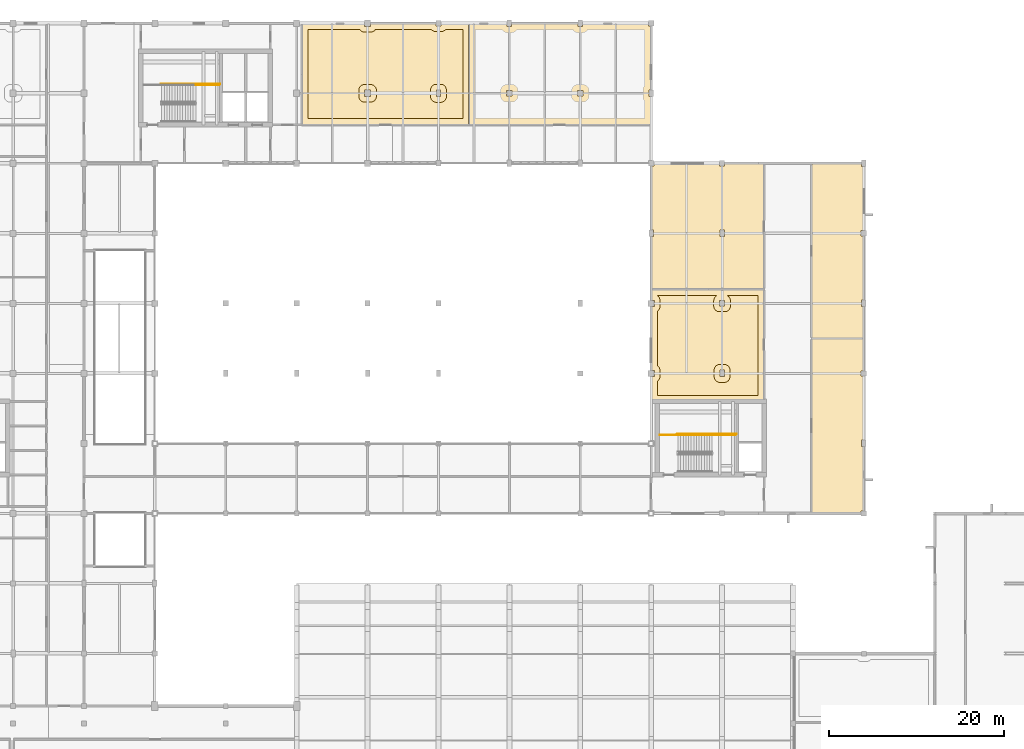
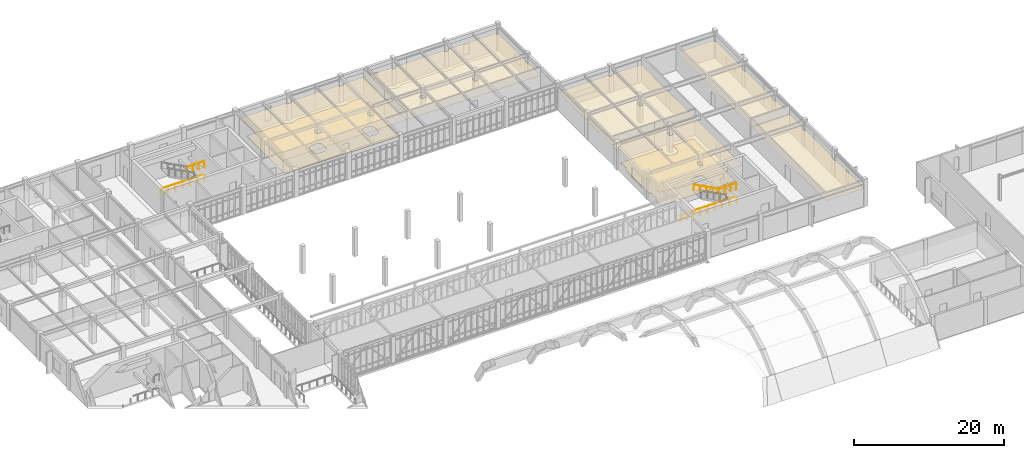
# One storey, part 66 of 67: 8 coverings, 6 railings.
"""IFC4 building model written with IfcOpenShell, lengths in metres."""

from ifc_helpers import new_model, si_unit, direction, frame, origin, origin_2d, place, context, subcontext, project, spatial, polyline, circle, outline, extrude, material, layer, layer_set, type_object, element, save


model = new_model("IFC4")

# Units and contexts
model_context = context("Model", 3, precision=1e-05, world=origin(), true_north=direction((0.0, 1.0)))
body_context = subcontext(model_context, "Body", "Model", "MODEL_VIEW")
ifc_project = project(units=[si_unit("LENGTHUNIT", "METRE"), si_unit("AREAUNIT", "SQUARE_METRE"), si_unit("VOLUMEUNIT", "CUBIC_METRE"), si_unit("PLANEANGLEUNIT", "RADIAN"), si_unit("MASSUNIT", "GRAM", prefix="KILO")], contexts=[model_context])

# Site, building, storey
site_placement = place(None, origin())
site = spatial("IfcSite", under=ifc_project, at=site_placement, CompositionType="ELEMENT")
building_placement = place(site_placement, origin())
building = spatial("IfcBuilding", under=site, at=building_placement, Name="Tarnveldt Square Police Headquarters", CompositionType="ELEMENT")
storey_placement = place(building_placement, frame((0.0, 0.0, 10.199951171875)))
storey = spatial("IfcBuildingStorey", under=building, at=storey_placement, Name="L02", CompositionType="ELEMENT", Elevation=10.199951171875)

# Coverings
ifc_material_1 = material(Name="Mineral-fibre acoustic ceiling tile", Category="gypsum")
ifc_layer_1 = layer(ifc_material_1, 0.02001953125)
ifc_layer_set_1 = layer_set([ifc_layer_1], Name="Mineral-fibre acoustic ceiling tile")
covering_type_1 = type_object("IfcCoveringType", Name="COV-CEIL-20", PredefinedType="CEILING", material=ifc_layer_set_1)
covering_1_placement = place(storey_placement, frame((0.0, 0.0, 2.75)))
element("IfcCovering", 1, at=covering_1_placement, inside=storey, type_object=covering_type_1, Name="De-Escalation Judgment Simulation Theatre Acoustic Ceiling", PredefinedType="CEILING", context=body_context, shape_type="SweptSolid", body=[
    extrude(outline(polyline([(129.550048828125, 56.302001953125), (129.298095703125, 56.302001953125), (129.298095703125, 56.050048828125), (123.64990234375, 56.050048828125), (123.64990234375, 75.949951171875), (129.550048828125, 75.949951171875), (129.550048828125, 72.302001953125), (129.298095703125, 72.302001953125), (129.298095703125, 71.697998046875), (129.550048828125, 71.697998046875), (129.550048828125, 64.376953125), (129.347900390625, 64.376953125), (129.347900390625, 63.623046875), (129.550048828125, 63.623046875), (129.550048828125, 56.302001953125)])), origin(), (0.0, 0.0, 1.0), 0.02001953125),
])
covering_2_placement = place(storey_placement, frame((0.0, 0.0, 2.75)))
element("IfcCovering", 2, at=covering_2_placement, inside=storey, type_object=covering_type_1, Name="Tactical Equipment and Armoury Vault L02 Acoustic Ceiling", PredefinedType="CEILING", context=body_context, shape_type="SweptSolid", body=[
    extrude(outline(polyline([(129.550048828125, 76.050048828125), (123.64990234375, 76.050048828125), (123.64990234375, 95.949951171875), (129.347900390625, 95.949951171875), (129.347900390625, 95.623046875), (129.550048828125, 95.623046875), (129.550048828125, 88.302001953125), (129.298095703125, 88.302001953125), (129.298095703125, 87.697998046875), (129.550048828125, 87.697998046875), (129.550048828125, 80.376953125), (129.347900390625, 80.376953125), (129.347900390625, 79.623046875), (129.550048828125, 79.623046875), (129.550048828125, 76.050048828125)])), origin(), (0.0, 0.0, 1.0), 0.02001953125),
])
covering_3_placement = place(storey_placement, frame((0.0, 0.0, 2.75)))
element("IfcCovering", 3, at=covering_3_placement, inside=storey, type_object=covering_type_1, Name="Emergency Task Force Briefing Room Acoustic Ceiling", PredefinedType="CEILING", context=body_context, shape_type="SweptSolid", body=[
    extrude(outline(polyline([(105.35009765625, 81.550048828125), (118.14990234375, 81.550048828125), (118.14990234375, 68.85009765625), (105.35009765625, 68.85009765625), (105.35009765625, 71.64794921875), (105.652099609375, 71.64794921875), (105.652099609375, 72.35205078125), (105.35009765625, 72.35205078125), (105.35009765625, 79.64794921875), (105.652099609375, 79.64794921875), (105.652099609375, 80.35205078125), (105.35009765625, 80.35205078125), (105.35009765625, 81.550048828125)]), holes=[polyline([(113.097900390625, 80.302001953125), (113.097900390625, 79.697998046875), (113.701904296875, 79.697998046875), (113.701904296875, 80.302001953125), (113.097900390625, 80.302001953125)]), polyline([(113.652099609375, 72.376953125), (113.14794921875, 72.376953125), (113.14794921875, 71.623046875), (113.652099609375, 71.623046875), (113.652099609375, 72.376953125)])]), origin(), (0.0, 0.0, 1.0), 0.02001953125),
])
covering_4_placement = place(storey_placement, frame((0.0, 0.0, 2.75)))
element("IfcCovering", 4, at=covering_4_placement, inside=storey, type_object=covering_type_1, Name="Emergency Task Force Planning Office Acoustic Ceiling", PredefinedType="CEILING", context=body_context, shape_type="SweptSolid", body=[
    extrude(outline(polyline([(118.14990234375, 95.949951171875), (118.14990234375, 81.64990234375), (105.35009765625, 81.64990234375), (105.35009765625, 87.623046875), (105.552001953125, 87.623046875), (105.552001953125, 88.376953125), (105.35009765625, 88.376953125), (105.35009765625, 95.697998046875), (105.60205078125, 95.697998046875), (105.60205078125, 95.949951171875), (113.097900390625, 95.949951171875), (113.097900390625, 95.697998046875), (113.701904296875, 95.697998046875), (113.701904296875, 95.949951171875), (118.14990234375, 95.949951171875)]), holes=[polyline([(113.14794921875, 88.376953125), (113.14794921875, 87.623046875), (113.652099609375, 87.623046875), (113.652099609375, 88.376953125), (113.14794921875, 88.376953125)])]), origin(), (0.0, 0.0, 1.0), 0.02001953125),
])
covering_5_placement = place(storey_placement, frame((0.0, 0.0, 2.75)))
element("IfcCovering", 5, at=covering_5_placement, inside=storey, type_object=covering_type_1, Name="Forensic Drug Chemistry Laboratory Acoustic Ceiling", PredefinedType="CEILING", context=body_context, shape_type="SweptSolid", body=[
    extrude(outline(polyline([(84.449951171875, 111.949951171875), (84.449951171875, 100.449951171875), (65.449951171875, 100.449951171875), (65.449951171875, 111.949951171875), (72.548095703125, 111.949951171875), (72.548095703125, 111.64794921875), (73.251953125, 111.64794921875), (73.251953125, 111.949951171875), (80.697998046875, 111.949951171875), (80.697998046875, 111.697998046875), (81.302001953125, 111.697998046875), (81.302001953125, 111.949951171875), (84.449951171875, 111.949951171875)]), holes=[polyline([(81.251953125, 104.376953125), (80.748046875, 104.376953125), (80.748046875, 103.623046875), (81.251953125, 103.623046875), (81.251953125, 104.376953125)]), polyline([(73.251953125, 104.35205078125), (72.548095703125, 104.35205078125), (72.548095703125, 103.64794921875), (73.251953125, 103.64794921875), (73.251953125, 104.35205078125)])]), origin(), (0.0, 0.0, 1.0), 0.02001953125),
])
covering_6_placement = place(storey_placement, frame((0.0, 0.0, 2.75)))
element("IfcCovering", 6, at=covering_6_placement, inside=storey, type_object=covering_type_1, Name="Mass Spectrometry Analytical Laboratory Acoustic Ceiling", PredefinedType="CEILING", context=body_context, shape_type="SweptSolid", body=[
    extrude(outline(polyline([(105.25, 100.449951171875), (84.550048828125, 100.449951171875), (84.550048828125, 111.949951171875), (88.847900390625, 111.949951171875), (88.847900390625, 111.623046875), (89.35205078125, 111.623046875), (89.35205078125, 111.949951171875), (96.947998046875, 111.949951171875), (96.947998046875, 111.623046875), (97.451904296875, 111.623046875), (97.451904296875, 111.949951171875), (104.998046875, 111.949951171875), (104.998046875, 111.697998046875), (105.25, 111.697998046875), (105.25, 104.376953125), (105.048095703125, 104.376953125), (105.048095703125, 103.623046875), (105.25, 103.623046875), (105.25, 100.449951171875)]), holes=[polyline([(96.89794921875, 104.302001953125), (96.89794921875, 103.697998046875), (97.501953125, 103.697998046875), (97.501953125, 104.302001953125), (96.89794921875, 104.302001953125)]), polyline([(89.402099609375, 104.302001953125), (88.798095703125, 104.302001953125), (88.798095703125, 103.697998046875), (89.402099609375, 103.697998046875), (89.402099609375, 104.302001953125)])]), origin(), (0.0, 0.0, 1.0), 0.02001953125),
])
ifc_material_2 = material(Name="Polished cementitious terrazzo flooring", Category="concrete")
ifc_layer_2 = layer(ifc_material_2, 0.02490234375)
ifc_layer_set_2 = layer_set([ifc_layer_2], Name="Polished cementitious terrazzo flooring")
covering_type_2 = type_object("IfcCoveringType", Name="COV-FLR-25", PredefinedType="FLOORING", material=ifc_layer_set_2)
covering_7_placement = place(storey_placement, origin())
element("IfcCovering", 7, at=covering_7_placement, inside=storey, type_object=covering_type_2, Name="Emergency Task Force Briefing Room Terrazzo Finish Flooring", PredefinedType="FLOORING", context=body_context, shape_type="SweptSolid", body=[
    extrude(outline(polyline([(106.0, 71.099609375), (106.01318359375, 71.107666015625), (106.064453125, 71.1455078125), (106.111572265625, 71.1884765625), (106.154541015625, 71.235595703125), (106.1923828125, 71.286865234375), (106.225341796875, 71.341552734375), (106.25244140625, 71.399169921875), (106.27392578125, 71.459228515625), (106.28955078125, 71.521240234375), (106.298828125, 71.584228515625), (106.302001953125, 71.64794921875), (106.302001953125, 72.35205078125), (106.298828125, 72.415771484375), (106.28955078125, 72.478759765625), (106.27392578125, 72.540771484375), (106.25244140625, 72.600830078125), (106.225341796875, 72.658447265625), (106.1923828125, 72.713134765625), (106.154541015625, 72.764404296875), (106.111572265625, 72.8115234375), (106.064453125, 72.8544921875), (106.01318359375, 72.892333984375), (106.0, 72.900390625), (106.0, 79.099609375), (106.01318359375, 79.107666015625), (106.064453125, 79.1455078125), (106.111572265625, 79.1884765625), (106.154541015625, 79.235595703125), (106.1923828125, 79.286865234375), (106.225341796875, 79.341552734375), (106.25244140625, 79.399169921875), (106.27392578125, 79.459228515625), (106.28955078125, 79.521240234375), (106.298828125, 79.584228515625), (106.302001953125, 79.64794921875), (106.302001953125, 80.35205078125), (106.298828125, 80.415771484375), (106.28955078125, 80.478759765625), (106.27392578125, 80.540771484375), (106.25244140625, 80.600830078125), (106.225341796875, 80.658447265625), (106.1923828125, 80.713134765625), (106.154541015625, 80.764404296875), (106.111572265625, 80.8115234375), (106.064453125, 80.8544921875), (106.01318359375, 80.892333984375), (106.00048828125, 80.89990234375), (112.843994140625, 80.89990234375), (112.79150390625, 80.875244140625), (112.73681640625, 80.842529296875), (112.685546875, 80.804443359375), (112.638427734375, 80.76171875), (112.595458984375, 80.71435546875), (112.5576171875, 80.6630859375), (112.524658203125, 80.6083984375), (112.49755859375, 80.55078125), (112.47607421875, 80.49072265625), (112.46044921875, 80.4287109375), (112.451171875, 80.36572265625), (112.447998046875, 80.302001953125), (112.447998046875, 79.697998046875), (112.451171875, 79.63427734375), (112.46044921875, 79.5712890625), (112.47607421875, 79.50927734375), (112.49755859375, 79.44921875), (112.524658203125, 79.3916015625), (112.5576171875, 79.3369140625), (112.595458984375, 79.28564453125), (112.638427734375, 79.23828125), (112.685546875, 79.195556640625), (112.73681640625, 79.157470703125), (112.79150390625, 79.124755859375), (112.849365234375, 79.097412109375), (112.909423828125, 79.075927734375), (112.97119140625, 79.060546875), (113.0341796875, 79.051025390625), (113.097900390625, 79.048095703125), (113.701904296875, 79.048095703125), (113.765625, 79.051025390625), (113.828857421875, 79.060546875), (113.890625, 79.075927734375), (113.95068359375, 79.097412109375), (114.00830078125, 79.124755859375), (114.063232421875, 79.157470703125), (114.1142578125, 79.195556640625), (114.16162109375, 79.23828125), (114.204345703125, 79.28564453125), (114.242431640625, 79.3369140625), (114.275146484375, 79.3916015625), (114.302490234375, 79.44921875), (114.323974609375, 79.50927734375), (114.339599609375, 79.5712890625), (114.348876953125, 79.63427734375), (114.35205078125, 79.697998046875), (114.35205078125, 80.302001953125), (114.348876953125, 80.36572265625), (114.339599609375, 80.4287109375), (114.323974609375, 80.49072265625), (114.302490234375, 80.55078125), (114.275146484375, 80.6083984375), (114.242431640625, 80.6630859375), (114.204345703125, 80.71435546875), (114.16162109375, 80.76171875), (114.1142578125, 80.804443359375), (114.063232421875, 80.842529296875), (114.00830078125, 80.875244140625), (113.9560546875, 80.89990234375), (117.5, 80.89990234375), (117.5, 69.5), (106.0, 69.5), (106.0, 71.099609375)]), holes=[polyline([(114.302001953125, 72.376953125), (114.298828125, 72.440673828125), (114.28955078125, 72.50390625), (114.27392578125, 72.565673828125), (114.25244140625, 72.625732421875), (114.225341796875, 72.683349609375), (114.1923828125, 72.738037109375), (114.154541015625, 72.789306640625), (114.111572265625, 72.836669921875), (114.064453125, 72.87939453125), (114.01318359375, 72.91748046875), (113.95849609375, 72.9501953125), (113.900634765625, 72.9775390625), (113.840576171875, 72.9990234375), (113.77880859375, 73.014404296875), (113.7158203125, 73.02392578125), (113.652099609375, 73.027099609375), (113.14794921875, 73.027099609375), (113.084228515625, 73.02392578125), (113.021240234375, 73.014404296875), (112.959228515625, 72.9990234375), (112.899169921875, 72.9775390625), (112.841552734375, 72.9501953125), (112.786865234375, 72.91748046875), (112.735595703125, 72.87939453125), (112.6884765625, 72.836669921875), (112.6455078125, 72.789306640625), (112.607666015625, 72.738037109375), (112.57470703125, 72.683349609375), (112.54736328125, 72.625732421875), (112.52587890625, 72.565673828125), (112.510498046875, 72.50390625), (112.501220703125, 72.440673828125), (112.498046875, 72.376953125), (112.498046875, 71.623046875), (112.501220703125, 71.559326171875), (112.510498046875, 71.49609375), (112.52587890625, 71.434326171875), (112.54736328125, 71.374267578125), (112.57470703125, 71.316650390625), (112.607666015625, 71.261962890625), (112.6455078125, 71.210693359375), (112.6884765625, 71.163330078125), (112.735595703125, 71.12060546875), (112.786865234375, 71.08251953125), (112.841552734375, 71.0498046875), (112.899169921875, 71.0224609375), (112.959228515625, 71.0009765625), (113.021240234375, 70.985595703125), (113.084228515625, 70.97607421875), (113.14794921875, 70.972900390625), (113.652099609375, 70.972900390625), (113.7158203125, 70.97607421875), (113.77880859375, 70.985595703125), (113.840576171875, 71.0009765625), (113.900634765625, 71.0224609375), (113.95849609375, 71.0498046875), (114.01318359375, 71.08251953125), (114.064453125, 71.12060546875), (114.111572265625, 71.163330078125), (114.154541015625, 71.210693359375), (114.1923828125, 71.261962890625), (114.225341796875, 71.316650390625), (114.25244140625, 71.374267578125), (114.27392578125, 71.434326171875), (114.28955078125, 71.49609375), (114.298828125, 71.559326171875), (114.302001953125, 71.623046875), (114.302001953125, 72.376953125)])]), origin(), (0.0, 0.0, 1.0), 0.025146484375),
])
covering_8_placement = place(storey_placement, origin())
element("IfcCovering", 8, at=covering_8_placement, inside=storey, type_object=covering_type_2, Name="Forensic Drug Chemistry Laboratory Terrazzo Finish Flooring", PredefinedType="FLOORING", context=body_context, shape_type="SweptSolid", body=[
    extrude(outline(polyline([(71.999755859375, 111.300048828125), (72.007568359375, 111.286865234375), (72.045654296875, 111.235595703125), (72.08837890625, 111.1884765625), (72.1357421875, 111.1455078125), (72.186767578125, 111.107666015625), (72.24169921875, 111.07470703125), (72.29931640625, 111.04736328125), (72.359375, 111.02587890625), (72.421142578125, 111.010498046875), (72.484375, 111.001220703125), (72.548095703125, 110.998046875), (73.251953125, 110.998046875), (73.315673828125, 111.001220703125), (73.37890625, 111.010498046875), (73.440673828125, 111.02587890625), (73.500732421875, 111.04736328125), (73.558349609375, 111.07470703125), (73.613037109375, 111.107666015625), (73.664306640625, 111.1455078125), (73.711669921875, 111.1884765625), (73.75439453125, 111.235595703125), (73.79248046875, 111.286865234375), (73.80029296875, 111.300048828125), (80.184814453125, 111.300048828125), (80.195556640625, 111.28564453125), (80.23828125, 111.23828125), (80.28564453125, 111.195556640625), (80.3369140625, 111.157470703125), (80.3916015625, 111.124755859375), (80.44921875, 111.097412109375), (80.50927734375, 111.075927734375), (80.5712890625, 111.060546875), (80.63427734375, 111.051025390625), (80.697998046875, 111.048095703125), (81.302001953125, 111.048095703125), (81.36572265625, 111.051025390625), (81.4287109375, 111.060546875), (81.49072265625, 111.075927734375), (81.55078125, 111.097412109375), (81.6083984375, 111.124755859375), (81.6630859375, 111.157470703125), (81.71435546875, 111.195556640625), (81.76171875, 111.23828125), (81.804443359375, 111.28564453125), (81.815185546875, 111.300048828125), (83.800048828125, 111.300048828125), (83.800048828125, 101.10009765625), (66.10009765625, 101.10009765625), (66.10009765625, 111.300048828125), (71.999755859375, 111.300048828125)]), holes=[polyline([(81.902099609375, 104.376953125), (81.89892578125, 104.440673828125), (81.889404296875, 104.50390625), (81.8740234375, 104.565673828125), (81.8525390625, 104.625732421875), (81.8251953125, 104.683349609375), (81.79248046875, 104.738037109375), (81.75439453125, 104.789306640625), (81.711669921875, 104.836669921875), (81.664306640625, 104.87939453125), (81.613037109375, 104.91748046875), (81.558349609375, 104.9501953125), (81.500732421875, 104.9775390625), (81.440673828125, 104.9990234375), (81.37890625, 105.014404296875), (81.315673828125, 105.02392578125), (81.251953125, 105.027099609375), (80.748046875, 105.027099609375), (80.684326171875, 105.02392578125), (80.62109375, 105.014404296875), (80.559326171875, 104.9990234375), (80.499267578125, 104.9775390625), (80.441650390625, 104.9501953125), (80.386962890625, 104.91748046875), (80.335693359375, 104.87939453125), (80.288330078125, 104.836669921875), (80.24560546875, 104.789306640625), (80.20751953125, 104.738037109375), (80.1748046875, 104.683349609375), (80.1474609375, 104.625732421875), (80.1259765625, 104.565673828125), (80.110595703125, 104.50390625), (80.10107421875, 104.440673828125), (80.097900390625, 104.376953125), (80.097900390625, 103.623046875), (80.10107421875, 103.559326171875), (80.110595703125, 103.49609375), (80.1259765625, 103.434326171875), (80.1474609375, 103.374267578125), (80.1748046875, 103.316650390625), (80.20751953125, 103.261962890625), (80.24560546875, 103.210693359375), (80.288330078125, 103.163330078125), (80.335693359375, 103.12060546875), (80.386962890625, 103.08251953125), (80.441650390625, 103.0498046875), (80.499267578125, 103.0224609375), (80.559326171875, 103.0009765625), (80.62109375, 102.985595703125), (80.684326171875, 102.97607421875), (80.748046875, 102.972900390625), (81.251953125, 102.972900390625), (81.315673828125, 102.97607421875), (81.37890625, 102.985595703125), (81.440673828125, 103.0009765625), (81.500732421875, 103.0224609375), (81.558349609375, 103.0498046875), (81.613037109375, 103.08251953125), (81.664306640625, 103.12060546875), (81.711669921875, 103.163330078125), (81.75439453125, 103.210693359375), (81.79248046875, 103.261962890625), (81.8251953125, 103.316650390625), (81.8525390625, 103.374267578125), (81.8740234375, 103.434326171875), (81.889404296875, 103.49609375), (81.89892578125, 103.559326171875), (81.902099609375, 103.623046875), (81.902099609375, 104.376953125)]), polyline([(73.902099609375, 104.35205078125), (73.89892578125, 104.415771484375), (73.889404296875, 104.478759765625), (73.8740234375, 104.540771484375), (73.8525390625, 104.600830078125), (73.8251953125, 104.658447265625), (73.79248046875, 104.713134765625), (73.75439453125, 104.764404296875), (73.711669921875, 104.8115234375), (73.664306640625, 104.8544921875), (73.613037109375, 104.892333984375), (73.558349609375, 104.92529296875), (73.500732421875, 104.95263671875), (73.440673828125, 104.97412109375), (73.37890625, 104.989501953125), (73.315673828125, 104.998779296875), (73.251953125, 105.001953125), (72.548095703125, 105.001953125), (72.484375, 104.998779296875), (72.421142578125, 104.989501953125), (72.359375, 104.97412109375), (72.29931640625, 104.95263671875), (72.24169921875, 104.92529296875), (72.186767578125, 104.892333984375), (72.1357421875, 104.8544921875), (72.08837890625, 104.8115234375), (72.045654296875, 104.764404296875), (72.007568359375, 104.713134765625), (71.974853515625, 104.658447265625), (71.947509765625, 104.600830078125), (71.926025390625, 104.540771484375), (71.910400390625, 104.478759765625), (71.901123046875, 104.415771484375), (71.89794921875, 104.35205078125), (71.89794921875, 103.64794921875), (71.901123046875, 103.584228515625), (71.910400390625, 103.521240234375), (71.926025390625, 103.459228515625), (71.947509765625, 103.399169921875), (71.974853515625, 103.341552734375), (72.007568359375, 103.286865234375), (72.045654296875, 103.235595703125), (72.08837890625, 103.1884765625), (72.1357421875, 103.1455078125), (72.186767578125, 103.107666015625), (72.24169921875, 103.07470703125), (72.29931640625, 103.04736328125), (72.359375, 103.02587890625), (72.421142578125, 103.010498046875), (72.484375, 103.001220703125), (72.548095703125, 102.998046875), (73.251953125, 102.998046875), (73.315673828125, 103.001220703125), (73.37890625, 103.010498046875), (73.440673828125, 103.02587890625), (73.500732421875, 103.04736328125), (73.558349609375, 103.07470703125), (73.613037109375, 103.107666015625), (73.664306640625, 103.1455078125), (73.711669921875, 103.1884765625), (73.75439453125, 103.235595703125), (73.79248046875, 103.286865234375), (73.8251953125, 103.341552734375), (73.8525390625, 103.399169921875), (73.8740234375, 103.459228515625), (73.889404296875, 103.521240234375), (73.89892578125, 103.584228515625), (73.902099609375, 103.64794921875), (73.902099609375, 104.35205078125)])]), origin(), (0.0, 0.0, 1.0), 0.025146484375),
])

# Railings
ifc_material_3 = material(Name="Steel 350W", Category="steel")
railing_type_1 = type_object("IfcRailingType", Name="RL-GR-1100", PredefinedType="GUARDRAIL", material=ifc_material_3)
railing_1_placement = place(storey_placement, frame((53.27001953125, 104.969970703125, 2.25)))
element("IfcRailing", 9, at=railing_1_placement, inside=storey, type_object=railing_type_1, Name="L02 ST3 stair guard 3", PredefinedType="GUARDRAIL", context=body_context, shape_type="SweptSolid", body=[
    extrude(circle(Radius=0.02392578125, at=origin_2d()), frame((0.0, 0.0, 1.076171875), z_axis=(1.0, 0.0, 0.0), x_axis=(0.0, 1.0, 0.0)), (0.0, 0.0, 1.0), 2.699951171875),
    extrude(circle(Radius=0.02099609375, at=origin_2d()), origin(), (0.0, 0.0, 1.0), 1.052001953125),
    extrude(circle(Radius=0.02099609375, at=origin_2d()), frame((0.89990234375, 0.0, 0.0)), (0.0, 0.0, 1.0), 1.052001953125),
    extrude(circle(Radius=0.02099609375, at=origin_2d()), frame((1.800048828125, 0.0, 0.0)), (0.0, 0.0, 1.0), 1.052001953125),
    extrude(circle(Radius=0.02099609375, at=origin_2d()), frame((2.699951171875, 0.0, 0.0)), (0.0, 0.0, 1.0), 1.052001953125),
])
railing_2_placement = place(storey_placement, frame((49.27001953125, 105.070068359375, 0.0)))
element("IfcRailing", 10, at=railing_2_placement, inside=storey, type_object=railing_type_1, Name="L02 ST3 stair guard 7", PredefinedType="GUARDRAIL", context=body_context, shape_type="SweptSolid", body=[
    extrude(circle(Radius=0.02392578125, at=origin_2d()), frame((0.0, 0.0, 1.076171875), z_axis=(1.0, 0.0, 0.0), x_axis=(0.0, 1.0, 0.0)), (0.0, 0.0, 1.0), 6.800048828125),
    extrude(circle(Radius=0.02099609375, at=origin_2d()), origin(), (0.0, 0.0, 1.0), 1.052001953125),
    extrude(circle(Radius=0.02099609375, at=origin_2d()), frame((1.13330078125, 0.0, 0.0)), (0.0, 0.0, 1.0), 1.052001953125),
    extrude(circle(Radius=0.02099609375, at=origin_2d()), frame((2.2666015625, 0.0, 0.0)), (0.0, 0.0, 1.0), 1.052001953125),
    extrude(circle(Radius=0.02099609375, at=origin_2d()), frame((3.39990234375, 0.0, 0.0)), (0.0, 0.0, 1.0), 1.052001953125),
    extrude(circle(Radius=0.02099609375, at=origin_2d()), frame((4.533447265625, 0.0, 0.0)), (0.0, 0.0, 1.0), 1.052001953125),
    extrude(circle(Radius=0.02099609375, at=origin_2d()), frame((5.666748046875, 0.0, 0.0)), (0.0, 0.0, 1.0), 1.052001953125),
    extrude(circle(Radius=0.02099609375, at=origin_2d()), frame((6.800048828125, 0.0, 0.0)), (0.0, 0.0, 1.0), 1.052001953125),
])
railing_3_placement = place(storey_placement, frame((112.27001953125, 64.969970703125, 2.25)))
element("IfcRailing", 11, at=railing_3_placement, inside=storey, type_object=railing_type_1, Name="L02 ST4 stair guard 3", PredefinedType="GUARDRAIL", context=body_context, shape_type="SweptSolid", body=[
    extrude(circle(Radius=0.02392578125, at=origin_2d()), frame((0.0, 0.0, 1.076171875), z_axis=(1.0, 0.0, 0.0), x_axis=(0.0, 1.0, 0.0)), (0.0, 0.0, 1.0), 2.699951171875),
    extrude(circle(Radius=0.02099609375, at=origin_2d()), origin(), (0.0, 0.0, 1.0), 1.052001953125),
    extrude(circle(Radius=0.02099609375, at=origin_2d()), frame((0.89990234375, 0.0, 0.0)), (0.0, 0.0, 1.0), 1.052001953125),
    extrude(circle(Radius=0.02099609375, at=origin_2d()), frame((1.800048828125, 0.0, 0.0)), (0.0, 0.0, 1.0), 1.052001953125),
    extrude(circle(Radius=0.02099609375, at=origin_2d()), frame((2.699951171875, 0.0, 0.0)), (0.0, 0.0, 1.0), 1.052001953125),
])
railing_4_placement = place(storey_placement, frame((106.320068359375, 64.969970703125, 0.0)))
element("IfcRailing", 12, at=railing_4_placement, inside=storey, type_object=railing_type_1, Name="L02 ST4 stair guard 6", PredefinedType="GUARDRAIL", context=body_context, shape_type="SweptSolid", body=[
    extrude(circle(Radius=0.02392578125, at=origin_2d()), frame((0.0, 0.0, 1.076171875), z_axis=(1.0, 0.0, 0.0), x_axis=(0.0, 1.0, 0.0)), (0.0, 0.0, 1.0), 2.050048828125),
    extrude(circle(Radius=0.02099609375, at=origin_2d()), origin(), (0.0, 0.0, 1.0), 1.052001953125),
    extrude(circle(Radius=0.02099609375, at=origin_2d()), frame((1.02490234375, 0.0, 0.0)), (0.0, 0.0, 1.0), 1.052001953125),
    extrude(circle(Radius=0.02099609375, at=origin_2d()), frame((2.050048828125, 0.0, 0.0)), (0.0, 0.0, 1.0), 1.052001953125),
])
railing_5_placement = place(storey_placement, frame((108.27001953125, 65.070068359375, 0.0)))
element("IfcRailing", 13, at=railing_5_placement, inside=storey, type_object=railing_type_1, Name="L02 ST4 stair guard 7", PredefinedType="GUARDRAIL", context=body_context, shape_type="SweptSolid", body=[
    extrude(circle(Radius=0.02392578125, at=origin_2d()), frame((0.0, 0.0, 1.076171875), z_axis=(1.0, 0.0, 0.0), x_axis=(0.0, 1.0, 0.0)), (0.0, 0.0, 1.0), 6.800048828125),
    extrude(circle(Radius=0.02099609375, at=origin_2d()), origin(), (0.0, 0.0, 1.0), 1.052001953125),
    extrude(circle(Radius=0.02099609375, at=origin_2d()), frame((1.13330078125, 0.0, 0.0)), (0.0, 0.0, 1.0), 1.052001953125),
    extrude(circle(Radius=0.02099609375, at=origin_2d()), frame((2.2666015625, 0.0, 0.0)), (0.0, 0.0, 1.0), 1.052001953125),
    extrude(circle(Radius=0.02099609375, at=origin_2d()), frame((3.39990234375, 0.0, 0.0)), (0.0, 0.0, 1.0), 1.052001953125),
    extrude(circle(Radius=0.02099609375, at=origin_2d()), frame((4.533447265625, 0.0, 0.0)), (0.0, 0.0, 1.0), 1.052001953125),
    extrude(circle(Radius=0.02099609375, at=origin_2d()), frame((5.666748046875, 0.0, 0.0)), (0.0, 0.0, 1.0), 1.052001953125),
    extrude(circle(Radius=0.02099609375, at=origin_2d()), frame((6.800048828125, 0.0, 0.0)), (0.0, 0.0, 1.0), 1.052001953125),
])
railing_type_2 = type_object("IfcRailingType", Name="RL-HR-900", PredefinedType="HANDRAIL", material=ifc_material_3)
railing_6_placement = place(storey_placement, frame((112.27001953125, 64.969970703125, 2.41064453125)))
element("IfcRailing", 14, at=railing_6_placement, inside=storey, type_object=railing_type_2, Name="L02 ST4 stair handrail 2", PredefinedType="HANDRAIL", context=body_context, shape_type="SweptSolid", body=[
    extrude(circle(Radius=0.02392578125, at=origin_2d()), frame((0.0, 0.0, 0.8759765625), z_axis=(-0.881468485026, 0.0, 0.472242850561), x_axis=(0.0, -1.0, 0.0)), (0.0, 0.0, 1.0), 4.42431640625),
    extrude(circle(Radius=0.02099609375, at=origin_2d()), origin(), (0.0, 0.0, 1.0), 0.851806640625),
    extrude(circle(Radius=0.02099609375, at=origin_2d()), frame((-0.97509765625, 0.0, 0.5224609375)), (0.0, 0.0, 1.0), 0.851806640625),
    extrude(circle(Radius=0.02099609375, at=origin_2d()), frame((-1.949951171875, 0.0, 1.044677734375)), (0.0, 0.0, 1.0), 0.851806640625),
    extrude(circle(Radius=0.02099609375, at=origin_2d()), frame((-2.9248046875, 0.0, 1.56689453125)), (0.0, 0.0, 1.0), 0.851806640625),
    extrude(circle(Radius=0.02099609375, at=origin_2d()), frame((-3.89990234375, 0.0, 2.08935546875)), (0.0, 0.0, 1.0), 0.851806640625),
])

save(model, "model.ifc")
